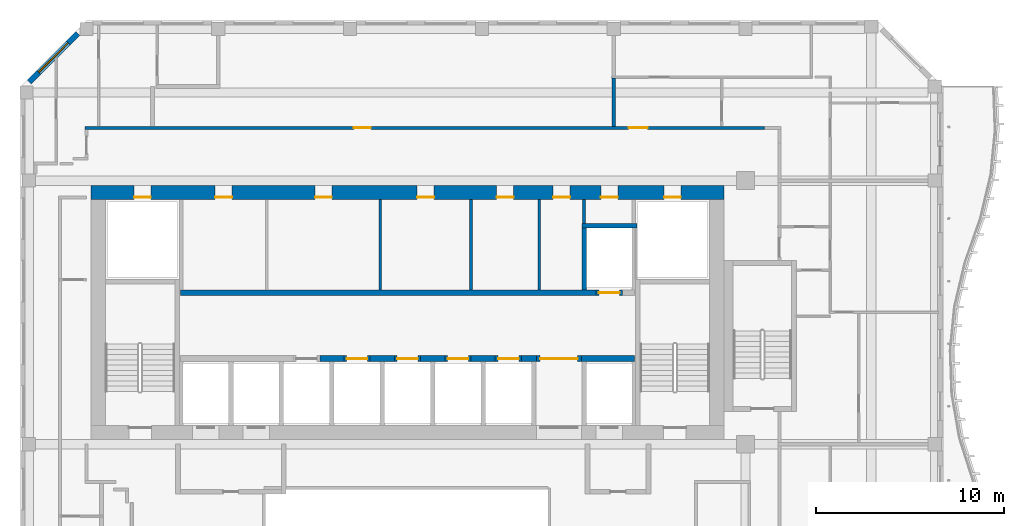
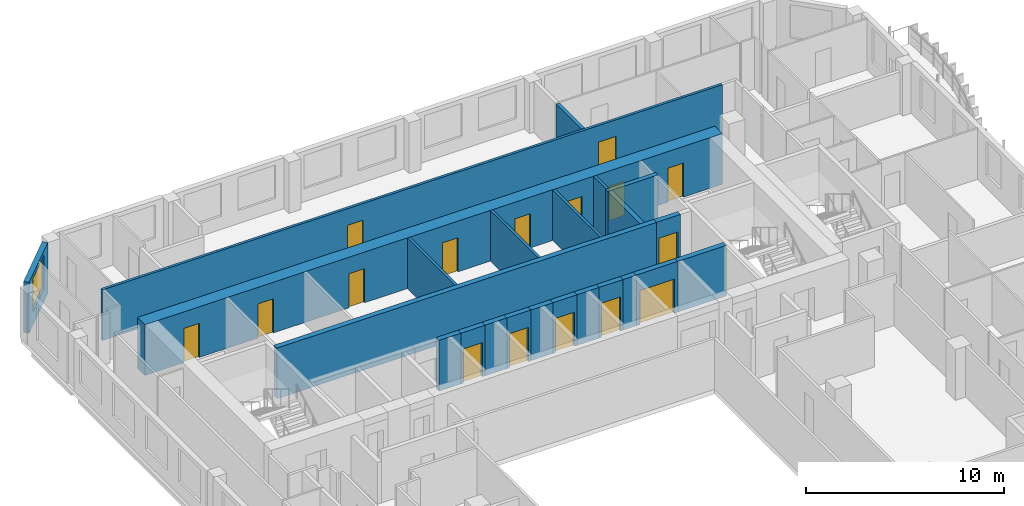
# One storey, part 7 of 19: 23 walls, 16 doors, 1 window, 17 openings.
"""IFC4 building model written with IfcOpenShell, lengths in metres."""

from ifc_helpers import new_model, si_unit, direction, frame, frame_2d, origin, place, context, subcontext, project, spatial, rectangle, extrude, source, transform, mapped, material, layer, layer_set, type_object, element, fill, save


model = new_model("IFC4")

# Units and contexts
model_context = context("Model", 3, precision=1e-05, world=origin(), true_north=direction((0.0, 1.0)))
body_context = subcontext(model_context, "Body", "Model", "MODEL_VIEW")
ifc_project = project(units=[si_unit("LENGTHUNIT", "METRE"), si_unit("AREAUNIT", "SQUARE_METRE"), si_unit("VOLUMEUNIT", "CUBIC_METRE"), si_unit("PLANEANGLEUNIT", "RADIAN"), si_unit("MASSUNIT", "GRAM", prefix="KILO")], contexts=[model_context])

# Site, building, storey
site_placement = place(None, origin())
site = spatial("IfcSite", under=ifc_project, at=site_placement, CompositionType="ELEMENT")
building_placement = place(site_placement, origin())
building = spatial("IfcBuilding", under=site, at=building_placement, Name="Kilnfold Tower and Market Hall", CompositionType="ELEMENT")
storey_placement = place(building_placement, frame((0.0, 0.0, 242.39990234375)))
storey = spatial("IfcBuildingStorey", under=building, at=storey_placement, Name="L58", CompositionType="ELEMENT", Elevation=242.39990234375)

# Wall, openings, doors
ifc_material_1 = material(Name="Gypsum board on steel studs", Category="steel")
ifc_layer_1 = layer(ifc_material_1, 0.14990234375)
ifc_layer_set_1 = layer_set([ifc_layer_1], Name="Gypsum board on steel studs")
wall_type_1 = type_object("IfcWallType", Name="WALL CORRIDOR 150", PredefinedType="PARTITIONING", material=ifc_layer_set_1)
wall_1_placement = place(storey_placement, frame((-16.074951171875, 24.800048828125, 0.0), z_axis=(0.0, 0.0, 1.0), x_axis=(1.0, 0.0, 0.0)))
wall_1 = element("IfcWall", 1, at=wall_1_placement, inside=storey, type_object=wall_type_1, Name="Partition LY35.27", PredefinedType="PARTITIONING", context=body_context, shape_type="SweptSolid", body=[
    extrude(rectangle(XDim=36.072998046875, YDim=0.14990234375, at=frame_2d((18.03662109375, 0.0))), origin(), (0.0, 0.0, 1.0), 3.1201171875),
])
opening_1_placement = place(wall_1_placement, frame((14.27392578125, 0.0, 0.0)))
opening_1 = element("IfcOpeningElement", 2, at=opening_1_placement, cuts=wall_1, Name="Opening D2", PredefinedType="OPENING", context=body_context, shape_type="SweptSolid", body=[
    extrude(rectangle(XDim=0.89990234375, YDim=2.10009765625, at=frame_2d((0.449951171875, 1.050048828125))), frame((0.0, 0.0849609375, 0.0), z_axis=(0.0, -1.0, 0.0), x_axis=(1.0, 0.0, 0.0)), (0.0, 0.0, 1.0), 0.169921875),
])
opening_2_placement = place(wall_1_placement, frame((28.875, 0.0, 0.0)))
opening_2 = element("IfcOpeningElement", 3, at=opening_2_placement, cuts=wall_1, Name="Opening D1", PredefinedType="OPENING", context=body_context, shape_type="SweptSolid", body=[
    extrude(rectangle(XDim=1.0, YDim=2.10009765625, at=frame_2d((0.5, 1.050048828125))), frame((0.0, 0.0849609375, 0.0), z_axis=(0.0, -1.0, 0.0), x_axis=(1.0, 0.0, 0.0)), (0.0, 0.0, 1.0), 0.169921875),
])
ifc_material_2 = material(Name="Timber veneer door leaf in steel frame", Category="steel")
door_type_1 = type_object("IfcDoorType", Name="DOOR ENTRY 1000 X2100", OperationType="NOTDEFINED", PredefinedType="DOOR", material=ifc_material_2)
door_1_placement = place(opening_2_placement, origin())
door_1 = element("IfcDoor", 4, at=door_1_placement, inside=storey, type_object=door_type_1, Name="Door D1", OperationType="SINGLE_SWING_RIGHT", OverallHeight=2.10009765625, OverallWidth=1.0, PredefinedType="DOOR", context=body_context, shape_type="SweptSolid", body=[
    extrude(rectangle(XDim=1.0, YDim=2.10009765625, at=frame_2d((0.5, 1.050048828125))), frame((0.0, 0.02490234375, 0.0), z_axis=(0.0, -1.0, 0.0), x_axis=(1.0, 0.0, 0.0)), (0.0, 0.0, 1.0), 0.050048828125),
])
fill(opening_2, door_1)
ifc_material_3 = material(Name="Timber veneer door leaf in steel frame", Category="steel")
door_type_2 = type_object("IfcDoorType", Name="DOOR ROOM 900 X2100", OperationType="NOTDEFINED", PredefinedType="DOOR", material=ifc_material_3)
door_2_placement = place(opening_1_placement, origin())
door_2 = element("IfcDoor", 5, at=door_2_placement, inside=storey, type_object=door_type_2, Name="Door D2", OperationType="SINGLE_SWING_RIGHT", OverallHeight=2.10009765625, OverallWidth=0.89990234375, PredefinedType="DOOR", context=body_context, shape_type="SweptSolid", body=[
    extrude(rectangle(XDim=0.89990234375, YDim=2.10009765625, at=frame_2d((0.449951171875, 1.050048828125))), frame((0.0, 0.02490234375, 0.0), z_axis=(0.0, -1.0, 0.0), x_axis=(1.0, 0.0, 0.0)), (0.0, 0.0, 1.0), 0.050048828125),
])
fill(opening_1, door_2)

# Walls
ifc_material_4 = material(Name="Gypsum board on steel studs", Category="steel")
ifc_layer_2 = layer(ifc_material_4, 0.199951171875)
ifc_layer_set_2 = layer_set([ifc_layer_2], Name="Gypsum board on steel studs")
wall_type_2 = type_object("IfcWallType", Name="WALL PARTY 200", PredefinedType="PARTITIONING", material=ifc_layer_set_2)
wall_2_placement = place(storey_placement, frame((12.0, 24.876953125, 0.0), z_axis=(0.0, 0.0, 1.0), x_axis=(0.0, 1.0, 0.0)))
element("IfcWall", 6, at=wall_2_placement, inside=storey, type_object=wall_type_2, Name="Partition LY35.91", PredefinedType="PARTITIONING", context=body_context, shape_type="SweptSolid", body=[
    extrude(rectangle(XDim=2.572998046875, YDim=0.199951171875, at=frame_2d((1.28662109375, 0.0))), origin(), (0.0, 0.0, 1.0), 3.1201171875),
])
ifc_material_5 = material(Name="Concrete C60", Category="concrete")
ifc_layer_3 = layer(ifc_material_5, 0.300048828125)
ifc_layer_set_3 = layer_set([ifc_layer_3], Name="Concrete C60")
wall_type_3 = type_object("IfcWallType", Name="CORE WALL 300 C60", PredefinedType="SHEAR", material=ifc_layer_set_3)
shared_shape_1 = source(origin(), body_context, "Body", "SweptSolid", [
    extrude(rectangle(XDim=1.280029296875, YDim=0.300048828125, at=frame_2d((0.64013671875, 0.0))), origin(), (0.0, 0.0, 1.0), 3.1201171875),
])
for number, where, z_axis, x_axis, name in (
    (7, (-3.610107421875, 12.550048828125, 0.0), (0.0, 0.0, 1.0), (1.0, 0.0, 0.0), "Core spine wall"),
    (8, (-0.929931640625, 12.550048828125, 0.0), (0.0, 0.0, 1.0), (1.0, 0.0, 0.0), "Core spine wall"),
    (9, (1.75, 12.550048828125, 0.0), (0.0, 0.0, 1.0), (1.0, 0.0, 0.0), "Core spine wall"),
    (10, (4.429931640625, 12.550048828125, 0.0), (0.0, 0.0, 1.0), (1.0, 0.0, 0.0), "Core spine wall"),
):
    element("IfcWall", number, at=place(storey_placement, frame(where, z_axis=z_axis, x_axis=x_axis)), inside=storey, type_object=wall_type_3, Name=name, PredefinedType="SHEAR", context=body_context, shape_type="MappedRepresentation", body=[
        mapped(shared_shape_1, transform((0.0, 0.0, 0.0))),
    ])
shared_shape_2 = source(origin(), body_context, "Body", "SweptSolid", [
    extrude(rectangle(XDim=0.77978515625, YDim=0.300048828125, at=frame_2d((0.389892578125, 0.0))), origin(), (0.0, 0.0, 1.0), 3.1201171875),
])
wall_3_placement = place(storey_placement, frame((7.110107421875, 12.550048828125, 0.0), z_axis=(0.0, 0.0, 1.0), x_axis=(1.0, 0.0, 0.0)))
element("IfcWall", 11, at=wall_3_placement, inside=storey, type_object=wall_type_3, Name="Core spine wall", PredefinedType="SHEAR", context=body_context, shape_type="MappedRepresentation", body=[
    mapped(shared_shape_2, transform((0.0, 0.0, 0.0))),
])
shared_shape_3 = source(origin(), body_context, "Body", "SweptSolid", [
    extrude(rectangle(XDim=2.820068359375, YDim=0.300048828125, at=frame_2d((1.41015625, 0.0))), origin(), (0.0, 0.0, 1.0), 3.1201171875),
])
wall_4_placement = place(storey_placement, frame((10.2900390625, 12.550048828125, 0.0), z_axis=(0.0, 0.0, 1.0), x_axis=(1.0, 0.0, 0.0)))
element("IfcWall", 12, at=wall_4_placement, inside=storey, type_object=wall_type_3, Name="Core spine wall", PredefinedType="SHEAR", context=body_context, shape_type="MappedRepresentation", body=[
    mapped(shared_shape_3, transform((0.0, 0.0, 0.0))),
])

# Wall, openings, doors
ifc_material_6 = material(Name="Concrete C60", Category="concrete")
ifc_layer_4 = layer(ifc_material_6, 0.75)
ifc_layer_set_4 = layer_set([ifc_layer_4], Name="Concrete C60")
wall_type_4 = type_object("IfcWallType", Name="CORE WALL 750 C60", PredefinedType="SHEAR", material=ifc_layer_set_4)
shared_shape_4 = source(origin(), body_context, "Body", "SweptSolid", [
    extrude(rectangle(XDim=33.60009765625, YDim=0.75, at=frame_2d((16.800048828125, 0.0))), origin(), (0.0, 0.0, 1.0), 3.1201171875),
])
wall_5_placement = place(storey_placement, frame((-15.75, 21.375, 0.0), z_axis=(0.0, 0.0, 1.0), x_axis=(1.0, 0.0, 0.0)))
wall_5 = element("IfcWall", 13, at=wall_5_placement, inside=storey, type_object=wall_type_4, Name="Core outer wall north", PredefinedType="SHEAR", context=body_context, shape_type="MappedRepresentation", body=[
    mapped(shared_shape_4, transform((0.0, 0.0, 0.0))),
])
opening_3_placement = place(wall_5_placement, frame((6.581298828125, 0.0, 0.0)))
opening_3 = element("IfcOpeningElement", 14, at=opening_3_placement, cuts=wall_5, Name="Opening KD1", PredefinedType="OPENING", context=body_context, shape_type="SweptSolid", body=[
    extrude(rectangle(XDim=0.89990234375, YDim=2.10009765625, at=frame_2d((0.449951171875, 1.050048828125))), frame((0.0, 0.385009765625, 0.0), z_axis=(0.0, -1.0, 0.0), x_axis=(1.0, 0.0, 0.0)), (0.0, 0.0, 1.0), 0.77001953125),
])
opening_4_placement = place(wall_5_placement, frame((11.8876953125, 0.0, 0.0)))
opening_4 = element("IfcOpeningElement", 15, at=opening_4_placement, cuts=wall_5, Name="Opening KD1", PredefinedType="OPENING", context=body_context, shape_type="SweptSolid", body=[
    extrude(rectangle(XDim=0.89990234375, YDim=2.10009765625, at=frame_2d((0.449951171875, 1.050048828125))), frame((0.0, 0.385009765625, 0.0), z_axis=(0.0, -1.0, 0.0), x_axis=(1.0, 0.0, 0.0)), (0.0, 0.0, 1.0), 0.77001953125),
])
opening_5_placement = place(wall_5_placement, frame((17.314697265625, 0.0, 0.0)))
opening_5 = element("IfcOpeningElement", 16, at=opening_5_placement, cuts=wall_5, Name="Opening KD1", PredefinedType="OPENING", context=body_context, shape_type="SweptSolid", body=[
    extrude(rectangle(XDim=0.89990234375, YDim=2.10009765625, at=frame_2d((0.449951171875, 1.050048828125))), frame((0.0, 0.385009765625, 0.0), z_axis=(0.0, -1.0, 0.0), x_axis=(1.0, 0.0, 0.0)), (0.0, 0.0, 1.0), 0.77001953125),
])
opening_6_placement = place(wall_5_placement, frame((21.535888671875, 0.0, 0.0)))
opening_6 = element("IfcOpeningElement", 17, at=opening_6_placement, cuts=wall_5, Name="Opening KD1", PredefinedType="OPENING", context=body_context, shape_type="SweptSolid", body=[
    extrude(rectangle(XDim=0.89990234375, YDim=2.10009765625, at=frame_2d((0.449951171875, 1.050048828125))), frame((0.0, 0.385009765625, 0.0), z_axis=(0.0, -1.0, 0.0), x_axis=(1.0, 0.0, 0.0)), (0.0, 0.0, 1.0), 0.77001953125),
])
opening_7_placement = place(wall_5_placement, frame((24.537353515625, 0.0, 0.0)))
opening_7 = element("IfcOpeningElement", 18, at=opening_7_placement, cuts=wall_5, Name="Opening KD1", PredefinedType="OPENING", context=body_context, shape_type="SweptSolid", body=[
    extrude(rectangle(XDim=0.89990234375, YDim=2.10009765625, at=frame_2d((0.449951171875, 1.050048828125))), frame((0.0, 0.385009765625, 0.0), z_axis=(0.0, -1.0, 0.0), x_axis=(1.0, 0.0, 0.0)), (0.0, 0.0, 1.0), 0.77001953125),
])
opening_8_placement = place(wall_5_placement, frame((27.070068359375, 0.0, 0.0)))
opening_8 = element("IfcOpeningElement", 19, at=opening_8_placement, cuts=wall_5, Name="Opening KD1", PredefinedType="OPENING", context=body_context, shape_type="SweptSolid", body=[
    extrude(rectangle(XDim=0.89990234375, YDim=2.10009765625, at=frame_2d((0.449951171875, 1.050048828125))), frame((0.0, 0.385009765625, 0.0), z_axis=(0.0, -1.0, 0.0), x_axis=(1.0, 0.0, 0.0)), (0.0, 0.0, 1.0), 0.77001953125),
])
opening_9_placement = place(wall_5_placement, frame((2.27490234375, 0.0, 0.0)))
opening_9 = element("IfcOpeningElement", 20, at=opening_9_placement, cuts=wall_5, Name="Opening KD1", PredefinedType="OPENING", context=body_context, shape_type="SweptSolid", body=[
    extrude(rectangle(XDim=0.89990234375, YDim=2.10009765625, at=frame_2d((0.449951171875, 1.050048828125))), frame((0.0, 0.385009765625, 0.0), z_axis=(0.0, -1.0, 0.0), x_axis=(1.0, 0.0, 0.0)), (0.0, 0.0, 1.0), 0.77001953125),
])
opening_10_placement = place(wall_5_placement, frame((30.425048828125, 0.0, 0.0)))
opening_10 = element("IfcOpeningElement", 21, at=opening_10_placement, cuts=wall_5, Name="Opening KD1", PredefinedType="OPENING", context=body_context, shape_type="SweptSolid", body=[
    extrude(rectangle(XDim=0.89990234375, YDim=2.10009765625, at=frame_2d((0.449951171875, 1.050048828125))), frame((0.0, 0.385009765625, 0.0), z_axis=(0.0, -1.0, 0.0), x_axis=(1.0, 0.0, 0.0)), (0.0, 0.0, 1.0), 0.77001953125),
])
ifc_material_7 = material(Name="Steel door set with fire-resisting leaf", Category="steel")
door_type_3 = type_object("IfcDoorType", Name="SERVICE DOOR 900X2100", OperationType="NOTDEFINED", PredefinedType="DOOR", material=ifc_material_7)
door_3_placement = place(opening_3_placement, origin())
door_3 = element("IfcDoor", 22, at=door_3_placement, inside=storey, type_object=door_type_3, Name="Core service door", OperationType="SINGLE_SWING_RIGHT", OverallHeight=2.10009765625, OverallWidth=0.89990234375, PredefinedType="DOOR", context=body_context, shape_type="SweptSolid", body=[
    extrude(rectangle(XDim=0.89990234375, YDim=2.10009765625, at=frame_2d((0.449951171875, 1.050048828125))), frame((0.0, -0.22998046875, 0.0), z_axis=(0.0, -1.0, 0.0), x_axis=(1.0, 0.0, 0.0)), (0.0, 0.0, 1.0), 0.050048828125),
])
fill(opening_3, door_3)
door_4_placement = place(opening_4_placement, origin())
door_4 = element("IfcDoor", 23, at=door_4_placement, inside=storey, type_object=door_type_3, Name="Core service door", OperationType="SINGLE_SWING_LEFT", OverallHeight=2.10009765625, OverallWidth=0.89990234375, PredefinedType="DOOR", context=body_context, shape_type="SweptSolid", body=[
    extrude(rectangle(XDim=0.89990234375, YDim=2.10009765625, at=frame_2d((0.449951171875, 1.050048828125))), frame((0.0, -0.22998046875, 0.0), z_axis=(0.0, -1.0, 0.0), x_axis=(1.0, 0.0, 0.0)), (0.0, 0.0, 1.0), 0.050048828125),
])
fill(opening_4, door_4)
door_5_placement = place(opening_5_placement, origin())
door_5 = element("IfcDoor", 24, at=door_5_placement, inside=storey, type_object=door_type_3, Name="Core service door", OperationType="SINGLE_SWING_RIGHT", OverallHeight=2.10009765625, OverallWidth=0.89990234375, PredefinedType="DOOR", context=body_context, shape_type="SweptSolid", body=[
    extrude(rectangle(XDim=0.89990234375, YDim=2.10009765625, at=frame_2d((0.449951171875, 1.050048828125))), frame((0.0, -0.22998046875, 0.0), z_axis=(0.0, -1.0, 0.0), x_axis=(1.0, 0.0, 0.0)), (0.0, 0.0, 1.0), 0.050048828125),
])
fill(opening_5, door_5)
door_6_placement = place(opening_6_placement, origin())
door_6 = element("IfcDoor", 25, at=door_6_placement, inside=storey, type_object=door_type_3, Name="Core service door", OperationType="SINGLE_SWING_LEFT", OverallHeight=2.10009765625, OverallWidth=0.89990234375, PredefinedType="DOOR", context=body_context, shape_type="SweptSolid", body=[
    extrude(rectangle(XDim=0.89990234375, YDim=2.10009765625, at=frame_2d((0.449951171875, 1.050048828125))), frame((0.0, -0.22998046875, 0.0), z_axis=(0.0, -1.0, 0.0), x_axis=(1.0, 0.0, 0.0)), (0.0, 0.0, 1.0), 0.050048828125),
])
fill(opening_6, door_6)
door_7_placement = place(opening_7_placement, origin())
door_7 = element("IfcDoor", 26, at=door_7_placement, inside=storey, type_object=door_type_3, Name="Core service door", OperationType="SINGLE_SWING_RIGHT", OverallHeight=2.10009765625, OverallWidth=0.89990234375, PredefinedType="DOOR", context=body_context, shape_type="SweptSolid", body=[
    extrude(rectangle(XDim=0.89990234375, YDim=2.10009765625, at=frame_2d((0.449951171875, 1.050048828125))), frame((0.0, -0.22998046875, 0.0), z_axis=(0.0, -1.0, 0.0), x_axis=(1.0, 0.0, 0.0)), (0.0, 0.0, 1.0), 0.050048828125),
])
fill(opening_7, door_7)
door_8_placement = place(opening_8_placement, origin())
door_8 = element("IfcDoor", 27, at=door_8_placement, inside=storey, type_object=door_type_3, Name="Core service door", OperationType="SINGLE_SWING_LEFT", OverallHeight=2.10009765625, OverallWidth=0.89990234375, PredefinedType="DOOR", context=body_context, shape_type="SweptSolid", body=[
    extrude(rectangle(XDim=0.89990234375, YDim=2.10009765625, at=frame_2d((0.449951171875, 1.050048828125))), frame((0.0, -0.22998046875, 0.0), z_axis=(0.0, -1.0, 0.0), x_axis=(1.0, 0.0, 0.0)), (0.0, 0.0, 1.0), 0.050048828125),
])
fill(opening_8, door_8)
door_9_placement = place(opening_9_placement, origin())
door_9 = element("IfcDoor", 28, at=door_9_placement, inside=storey, type_object=door_type_3, Name="Electrical riser access door", OperationType="SINGLE_SWING_RIGHT", OverallHeight=2.10009765625, OverallWidth=0.89990234375, PredefinedType="DOOR", context=body_context, shape_type="SweptSolid", body=[
    extrude(rectangle(XDim=0.89990234375, YDim=2.10009765625, at=frame_2d((0.449951171875, 1.050048828125))), frame((0.0, -0.22998046875, 0.0), z_axis=(0.0, -1.0, 0.0), x_axis=(1.0, 0.0, 0.0)), (0.0, 0.0, 1.0), 0.050048828125),
])
fill(opening_9, door_9)
door_10_placement = place(opening_10_placement, origin())
door_10 = element("IfcDoor", 29, at=door_10_placement, inside=storey, type_object=door_type_3, Name="Mechanical riser access door", OperationType="SINGLE_SWING_LEFT", OverallHeight=2.10009765625, OverallWidth=0.89990234375, PredefinedType="DOOR", context=body_context, shape_type="SweptSolid", body=[
    extrude(rectangle(XDim=0.89990234375, YDim=2.10009765625, at=frame_2d((0.449951171875, 1.050048828125))), frame((0.0, -0.22998046875, 0.0), z_axis=(0.0, -1.0, 0.0), x_axis=(1.0, 0.0, 0.0)), (0.0, 0.0, 1.0), 0.050048828125),
])
fill(opening_10, door_10)

# Wall
shared_shape_5 = source(origin(), body_context, "Body", "SweptSolid", [
    extrude(rectangle(XDim=22.080078125, YDim=0.300048828125, at=frame_2d((11.0400390625, 0.0))), origin(), (0.0, 0.0, 1.0), 3.1201171875),
])
wall_6_placement = place(storey_placement, frame((-11.010009765625, 16.050048828125, 0.0), z_axis=(0.0, 0.0, 1.0), x_axis=(1.0, 0.0, 0.0)))
element("IfcWall", 30, at=wall_6_placement, inside=storey, type_object=wall_type_3, Name="Core spine wall", PredefinedType="SHEAR", context=body_context, shape_type="MappedRepresentation", body=[
    mapped(shared_shape_5, transform((0.0, 0.0, 0.0))),
])

# Wall, opening, window
ifc_material_8 = material(Name="Precast concrete C50/60", Category="concrete")
ifc_layer_5 = layer(ifc_material_8, 0.300048828125)
ifc_layer_set_5 = layer_set([ifc_layer_5], Name="Precast concrete C50/60")
wall_type_5 = type_object("IfcWallType", Name="PRECAST WALL 300", PredefinedType="SOLIDWALL", material=ifc_layer_set_5)
shared_shape_6 = source(origin(), body_context, "Body", "SweptSolid", [
    extrude(rectangle(XDim=3.6416015625, YDim=0.300048828125, at=frame_2d((1.82080078125, 0.0))), origin(), (0.0, 0.0, 1.0), 3.1201171875),
])
wall_7_placement = place(storey_placement, frame((-16.468994140625, 29.81884765625, 0.0), z_axis=(0.0, 0.0, 1.0), x_axis=(-0.707106781187, -0.707106781187, 0.0)))
wall_7 = element("IfcWall", 31, at=wall_7_placement, inside=storey, type_object=wall_type_5, Name="External wall L58 NW", PredefinedType="SOLIDWALL", context=body_context, shape_type="MappedRepresentation", body=[
    mapped(shared_shape_6, transform((0.0, 0.0, 0.0))),
])
opening_11_placement = place(wall_7_placement, frame((0.720703125, 0.0, 0.800048828125)))
opening_11 = element("IfcOpeningElement", 32, at=opening_11_placement, cuts=wall_7, Name="Opening W3", PredefinedType="OPENING", context=body_context, shape_type="SweptSolid", body=[
    extrude(rectangle(XDim=2.199951171875, YDim=2.050048828125, at=frame_2d((1.10009765625, 1.02490234375))), frame((0.0, 0.16015625, 0.0), z_axis=(0.0, -1.0, 0.0), x_axis=(1.0, 0.0, 0.0)), (0.0, 0.0, 1.0), 0.320068359375),
])
ifc_material_9 = material(Name="Aluminium frame and double glazing", Category="aluminium")
window_type = type_object("IfcWindowType", Name="WINDOW W3 2200X2050", PartitioningType="SINGLE_PANEL", PredefinedType="WINDOW", material=ifc_material_9)
window_placement = place(opening_11_placement, origin())
window = element("IfcWindow", 33, at=window_placement, inside=storey, type_object=window_type, Name="Window W3 L58 NW-1", OverallHeight=2.050048828125, OverallWidth=2.199951171875, PartitioningType="SINGLE_PANEL", PredefinedType="WINDOW", context=body_context, shape_type="SweptSolid", body=[
    extrude(rectangle(XDim=2.199951171875, YDim=2.050048828125, at=frame_2d((1.10009765625, 1.02490234375))), frame((0.0, 0.030029296875, 0.0), z_axis=(0.0, -1.0, 0.0), x_axis=(1.0, 0.0, 0.0)), (0.0, 0.0, 1.0), 0.06005859375),
])
fill(opening_11, window)

# Wall, opening, door
ifc_material_10 = material(Name="Gypsum shaft wall system")
ifc_layer_6 = layer(ifc_material_10, 0.300048828125)
ifc_layer_set_6 = layer_set([ifc_layer_6], Name="Gypsum shaft wall system")
wall_type_6 = type_object("IfcWallType", Name="SHAFT WALL 300", PredefinedType="PARTITIONING", material=ifc_layer_set_6)
shared_shape_7 = source(origin(), body_context, "Body", "SweptSolid", [
    extrude(rectangle(XDim=1.39990234375, YDim=0.300048828125, at=frame_2d((0.699951171875, 0.0))), origin(), (0.0, 0.0, 1.0), 3.1201171875),
])
wall_8_placement = place(storey_placement, frame((0.35009765625, 12.550048828125, 0.0), z_axis=(0.0, 0.0, 1.0), x_axis=(1.0, 0.0, 0.0)))
wall_8 = element("IfcWall", 34, at=wall_8_placement, inside=storey, type_object=wall_type_6, Name="Lift shaft front wall", PredefinedType="PARTITIONING", context=body_context, shape_type="MappedRepresentation", body=[
    mapped(shared_shape_7, transform((0.0, 0.0, 0.0))),
])
opening_12_placement = place(wall_8_placement, frame((0.14990234375, 0.0, 0.0)))
opening_12 = element("IfcOpeningElement", 35, at=opening_12_placement, cuts=wall_8, Name="Opening LD2", PredefinedType="OPENING", context=body_context, shape_type="SweptSolid", body=[
    extrude(rectangle(XDim=1.10009765625, YDim=2.10009765625, at=frame_2d((0.550048828125, 1.050048828125))), frame((0.0, 0.16015625, 0.0), z_axis=(0.0, -1.0, 0.0), x_axis=(1.0, 0.0, 0.0)), (0.0, 0.0, 1.0), 0.320068359375),
])
ifc_material_11 = material(Name="Steel door set with fire-resisting leaf", Category="steel")
door_type_4 = type_object("IfcDoorType", Name="LANDING DOOR 1100X2100", OperationType="NOTDEFINED", PredefinedType="DOOR", material=ifc_material_11)
door_11_placement = place(opening_12_placement, origin())
door_11 = element("IfcDoor", 36, at=door_11_placement, inside=storey, type_object=door_type_4, Name="Landing door HR3", OperationType="DOUBLE_DOOR_SLIDING", OverallHeight=2.10009765625, OverallWidth=1.10009765625, PredefinedType="DOOR", context=body_context, shape_type="SweptSolid", body=[
    extrude(rectangle(XDim=1.10009765625, YDim=2.10009765625, at=frame_2d((0.550048828125, 1.050048828125))), frame((0.0, 0.02490234375, 0.0), z_axis=(0.0, -1.0, 0.0), x_axis=(1.0, 0.0, 0.0)), (0.0, 0.0, 1.0), 0.050048828125),
])
fill(opening_12, door_11)

wall_9_placement = place(storey_placement, frame((3.030029296875, 12.550048828125, 0.0), z_axis=(0.0, 0.0, 1.0), x_axis=(1.0, 0.0, 0.0)))
wall_9 = element("IfcWall", 37, at=wall_9_placement, inside=storey, type_object=wall_type_6, Name="Lift shaft front wall", PredefinedType="PARTITIONING", context=body_context, shape_type="MappedRepresentation", body=[
    mapped(shared_shape_7, transform((0.0, 0.0, 0.0))),
])
opening_13_placement = place(wall_9_placement, frame((0.14990234375, 0.0, 0.0)))
opening_13 = element("IfcOpeningElement", 38, at=opening_13_placement, cuts=wall_9, Name="Opening LD2", PredefinedType="OPENING", context=body_context, shape_type="SweptSolid", body=[
    extrude(rectangle(XDim=1.10009765625, YDim=2.10009765625, at=frame_2d((0.550048828125, 1.050048828125))), frame((0.0, 0.16015625, 0.0), z_axis=(0.0, -1.0, 0.0), x_axis=(1.0, 0.0, 0.0)), (0.0, 0.0, 1.0), 0.320068359375),
])
door_12_placement = place(opening_13_placement, origin())
door_12 = element("IfcDoor", 39, at=door_12_placement, inside=storey, type_object=door_type_4, Name="Landing door HR4", OperationType="DOUBLE_DOOR_SLIDING", OverallHeight=2.10009765625, OverallWidth=1.10009765625, PredefinedType="DOOR", context=body_context, shape_type="SweptSolid", body=[
    extrude(rectangle(XDim=1.10009765625, YDim=2.10009765625, at=frame_2d((0.550048828125, 1.050048828125))), frame((0.0, 0.02490234375, 0.0), z_axis=(0.0, -1.0, 0.0), x_axis=(1.0, 0.0, 0.0)), (0.0, 0.0, 1.0), 0.050048828125),
])
fill(opening_13, door_12)

wall_10_placement = place(storey_placement, frame((11.070068359375, 16.050048828125, 0.0), z_axis=(0.0, 0.0, 1.0), x_axis=(1.0, 0.0, 0.0)))
wall_10 = element("IfcWall", 40, at=wall_10_placement, inside=storey, type_object=wall_type_6, Name="Lift shaft front wall", PredefinedType="PARTITIONING", context=body_context, shape_type="MappedRepresentation", body=[
    mapped(shared_shape_7, transform((0.0, 0.0, 0.0))),
])
opening_14_placement = place(wall_10_placement, frame((0.14990234375, 0.0, 0.0)))
opening_14 = element("IfcOpeningElement", 41, at=opening_14_placement, cuts=wall_10, Name="Opening LD2", PredefinedType="OPENING", context=body_context, shape_type="SweptSolid", body=[
    extrude(rectangle(XDim=1.10009765625, YDim=2.10009765625, at=frame_2d((0.550048828125, 1.050048828125))), frame((0.0, 0.16015625, 0.0), z_axis=(0.0, -1.0, 0.0), x_axis=(1.0, 0.0, 0.0)), (0.0, 0.0, 1.0), 0.320068359375),
])
door_13_placement = place(opening_14_placement, origin())
door_13 = element("IfcDoor", 42, at=door_13_placement, inside=storey, type_object=door_type_4, Name="Landing door HR6", OperationType="DOUBLE_DOOR_SLIDING", OverallHeight=2.10009765625, OverallWidth=1.10009765625, PredefinedType="DOOR", context=body_context, shape_type="SweptSolid", body=[
    extrude(rectangle(XDim=1.10009765625, YDim=2.10009765625, at=frame_2d((0.550048828125, 1.050048828125))), frame((0.0, 0.02490234375, 0.0), z_axis=(0.0, -1.0, 0.0), x_axis=(1.0, 0.0, 0.0)), (0.0, 0.0, 1.0), 0.050048828125),
])
fill(opening_14, door_13)

shared_shape_8 = source(origin(), body_context, "Body", "SweptSolid", [
    extrude(rectangle(XDim=1.400146484375, YDim=0.300048828125, at=frame_2d((0.7001953125, 0.0))), origin(), (0.0, 0.0, 1.0), 3.1201171875),
])
wall_11_placement = place(storey_placement, frame((-2.330078125, 12.550048828125, 0.0), z_axis=(0.0, 0.0, 1.0), x_axis=(1.0, 0.0, 0.0)))
wall_11 = element("IfcWall", 43, at=wall_11_placement, inside=storey, type_object=wall_type_6, Name="Lift shaft front wall", PredefinedType="PARTITIONING", context=body_context, shape_type="MappedRepresentation", body=[
    mapped(shared_shape_8, transform((0.0, 0.0, 0.0))),
])
opening_15_placement = place(wall_11_placement, frame((0.14990234375, 0.0, 0.0)))
opening_15 = element("IfcOpeningElement", 44, at=opening_15_placement, cuts=wall_11, Name="Opening LD2", PredefinedType="OPENING", context=body_context, shape_type="SweptSolid", body=[
    extrude(rectangle(XDim=1.10009765625, YDim=2.10009765625, at=frame_2d((0.550048828125, 1.050048828125))), frame((0.0, 0.16015625, 0.0), z_axis=(0.0, -1.0, 0.0), x_axis=(1.0, 0.0, 0.0)), (0.0, 0.0, 1.0), 0.320068359375),
])
door_14_placement = place(opening_15_placement, origin())
door_14 = element("IfcDoor", 45, at=door_14_placement, inside=storey, type_object=door_type_4, Name="Landing door HR2", OperationType="DOUBLE_DOOR_SLIDING", OverallHeight=2.10009765625, OverallWidth=1.10009765625, PredefinedType="DOOR", context=body_context, shape_type="SweptSolid", body=[
    extrude(rectangle(XDim=1.10009765625, YDim=2.10009765625, at=frame_2d((0.550048828125, 1.050048828125))), frame((0.0, 0.02490234375, 0.0), z_axis=(0.0, -1.0, 0.0), x_axis=(1.0, 0.0, 0.0)), (0.0, 0.0, 1.0), 0.050048828125),
])
fill(opening_15, door_14)

wall_12_placement = place(storey_placement, frame((5.7099609375, 12.550048828125, 0.0), z_axis=(0.0, 0.0, 1.0), x_axis=(1.0, 0.0, 0.0)))
wall_12 = element("IfcWall", 46, at=wall_12_placement, inside=storey, type_object=wall_type_6, Name="Lift shaft front wall", PredefinedType="PARTITIONING", context=body_context, shape_type="MappedRepresentation", body=[
    mapped(shared_shape_8, transform((0.0, 0.0, 0.0))),
])
opening_16_placement = place(wall_12_placement, frame((0.14990234375, 0.0, 0.0)))
opening_16 = element("IfcOpeningElement", 47, at=opening_16_placement, cuts=wall_12, Name="Opening LD2", PredefinedType="OPENING", context=body_context, shape_type="SweptSolid", body=[
    extrude(rectangle(XDim=1.10009765625, YDim=2.10009765625, at=frame_2d((0.550048828125, 1.050048828125))), frame((0.0, 0.16015625, 0.0), z_axis=(0.0, -1.0, 0.0), x_axis=(1.0, 0.0, 0.0)), (0.0, 0.0, 1.0), 0.320068359375),
])
door_15_placement = place(opening_16_placement, origin())
door_15 = element("IfcDoor", 48, at=door_15_placement, inside=storey, type_object=door_type_4, Name="Landing door HR5", OperationType="DOUBLE_DOOR_SLIDING", OverallHeight=2.10009765625, OverallWidth=1.10009765625, PredefinedType="DOOR", context=body_context, shape_type="SweptSolid", body=[
    extrude(rectangle(XDim=1.10009765625, YDim=2.10009765625, at=frame_2d((0.550048828125, 1.050048828125))), frame((0.0, 0.02490234375, 0.0), z_axis=(0.0, -1.0, 0.0), x_axis=(1.0, 0.0, 0.0)), (0.0, 0.0, 1.0), 0.050048828125),
])
fill(opening_16, door_15)

shared_shape_9 = source(origin(), body_context, "Body", "SweptSolid", [
    extrude(rectangle(XDim=2.400146484375, YDim=0.300048828125, at=frame_2d((1.2001953125, 0.0))), origin(), (0.0, 0.0, 1.0), 3.1201171875),
])
wall_13_placement = place(storey_placement, frame((7.889892578125, 12.550048828125, 0.0), z_axis=(0.0, 0.0, 1.0), x_axis=(1.0, 0.0, 0.0)))
wall_13 = element("IfcWall", 49, at=wall_13_placement, inside=storey, type_object=wall_type_6, Name="Lift shaft front wall", PredefinedType="PARTITIONING", context=body_context, shape_type="MappedRepresentation", body=[
    mapped(shared_shape_9, transform((0.0, 0.0, 0.0))),
])
opening_17_placement = place(wall_13_placement, frame((0.199951171875, 0.0, 0.0)))
opening_17 = element("IfcOpeningElement", 50, at=opening_17_placement, cuts=wall_13, Name="Opening VD2", PredefinedType="OPENING", context=body_context, shape_type="SweptSolid", body=[
    extrude(rectangle(XDim=2.0, YDim=2.10009765625, at=frame_2d((1.0, 1.050048828125))), frame((0.0, 0.16015625, 0.0), z_axis=(0.0, -1.0, 0.0), x_axis=(1.0, 0.0, 0.0)), (0.0, 0.0, 1.0), 0.320068359375),
])
ifc_material_12 = material(Name="Steel door set with fire-resisting leaf", Category="steel")
door_type_5 = type_object("IfcDoorType", Name="LIFT LOBBY ENTRANCE DOOR 2000X2100", OperationType="NOTDEFINED", PredefinedType="DOOR", material=ifc_material_12)
door_16_placement = place(opening_17_placement, origin())
door_16 = element("IfcDoor", 51, at=door_16_placement, inside=storey, type_object=door_type_5, Name="Lift lobby entrance door", OperationType="DOUBLE_DOOR_SINGLE_SWING", OverallHeight=2.10009765625, OverallWidth=2.0, PredefinedType="DOOR", context=body_context, shape_type="SweptSolid", body=[
    extrude(rectangle(XDim=2.0, YDim=2.10009765625, at=frame_2d((1.0, 1.050048828125))), frame((0.0, 0.02490234375, 0.0), z_axis=(0.0, -1.0, 0.0), x_axis=(1.0, 0.0, 0.0)), (0.0, 0.0, 1.0), 0.050048828125),
])
fill(opening_17, door_16)

# Walls
ifc_material_13 = material(Name="Gypsum shaft wall system")
ifc_layer_7 = layer(ifc_material_13, 0.25)
ifc_layer_set_7 = layer_set([ifc_layer_7], Name="Gypsum shaft wall system")
wall_type_7 = type_object("IfcWallType", Name="SHAFT WALL 250", PredefinedType="PARTITIONING", material=ifc_layer_set_7)
shared_shape_10 = source(origin(), body_context, "Body", "SweptSolid", [
    extrude(rectangle(XDim=3.275146484375, YDim=0.25, at=frame_2d((1.6376953125, 0.0))), origin(), (0.0, 0.0, 1.0), 3.1201171875),
])
wall_14_placement = place(storey_placement, frame((10.429931640625, 16.199951171875, 0.0), z_axis=(0.0, 0.0, 1.0), x_axis=(0.0, 1.0, 0.0)))
element("IfcWall", 52, at=wall_14_placement, inside=storey, type_object=wall_type_7, Name="Lift shaft wall", PredefinedType="PARTITIONING", context=body_context, shape_type="MappedRepresentation", body=[
    mapped(shared_shape_10, transform((0.0, 0.0, 0.0))),
])
ifc_material_14 = material(Name="Gypsum shaft wall system")
ifc_layer_8 = layer(ifc_material_14, 0.14990234375)
ifc_layer_set_8 = layer_set([ifc_layer_8], Name="Gypsum shaft wall system")
wall_type_8 = type_object("IfcWallType", Name="ROOM WALL 150", PredefinedType="PARTITIONING", material=ifc_layer_set_8)
shared_shape_11 = source(origin(), body_context, "Body", "SweptSolid", [
    extrude(rectangle(XDim=4.800048828125, YDim=0.14990234375, at=frame_2d((2.39990234375, 0.0))), origin(), (0.0, 0.0, 1.0), 3.1201171875),
])
for number, where, z_axis, x_axis, name in (
    (53, (-0.397216796875, 16.199951171875, 0.0), (0.0, 0.0, 1.0), (0.0, 1.0, 0.0), "Core room wall"),
    (54, (4.4267578125, 16.199951171875, 0.0), (0.0, 0.0, 1.0), (0.0, 1.0, 0.0), "Core room wall"),
    (55, (8.044921875, 16.199951171875, 0.0), (0.0, 0.0, 1.0), (0.0, 1.0, 0.0), "Core room wall"),
):
    element("IfcWall", number, at=place(storey_placement, frame(where, z_axis=z_axis, x_axis=x_axis)), inside=storey, type_object=wall_type_8, Name=name, PredefinedType="PARTITIONING", context=body_context, shape_type="MappedRepresentation", body=[
        mapped(shared_shape_11, transform((0.0, 0.0, 0.0))),
    ])
shared_shape_12 = source(origin(), body_context, "Body", "SweptSolid", [
    extrude(rectangle(XDim=1.27490234375, YDim=0.14990234375, at=frame_2d((0.637451171875, 0.0))), origin(), (0.0, 0.0, 1.0), 3.1201171875),
])
wall_15_placement = place(storey_placement, frame((10.429931640625, 19.72509765625, 0.0), z_axis=(0.0, 0.0, 1.0), x_axis=(0.0, 1.0, 0.0)))
element("IfcWall", 56, at=wall_15_placement, inside=storey, type_object=wall_type_8, Name="Core room wall", PredefinedType="PARTITIONING", context=body_context, shape_type="MappedRepresentation", body=[
    mapped(shared_shape_12, transform((0.0, 0.0, 0.0))),
])
shared_shape_13 = source(origin(), body_context, "Body", "SweptSolid", [
    extrude(rectangle(XDim=2.93017578125, YDim=0.25, at=frame_2d((1.465087890625, 0.0))), origin(), (0.0, 0.0, 1.0), 3.1201171875),
])
wall_16_placement = place(storey_placement, frame((10.304931640625, 19.60009765625, 0.0), z_axis=(0.0, 0.0, 1.0), x_axis=(1.0, 0.0, 0.0)))
element("IfcWall", 57, at=wall_16_placement, inside=storey, type_object=wall_type_7, Name="Lift shaft wall", PredefinedType="PARTITIONING", context=body_context, shape_type="MappedRepresentation", body=[
    mapped(shared_shape_13, transform((0.0, 0.0, 0.0))),
])

save(model, "model.ifc")
